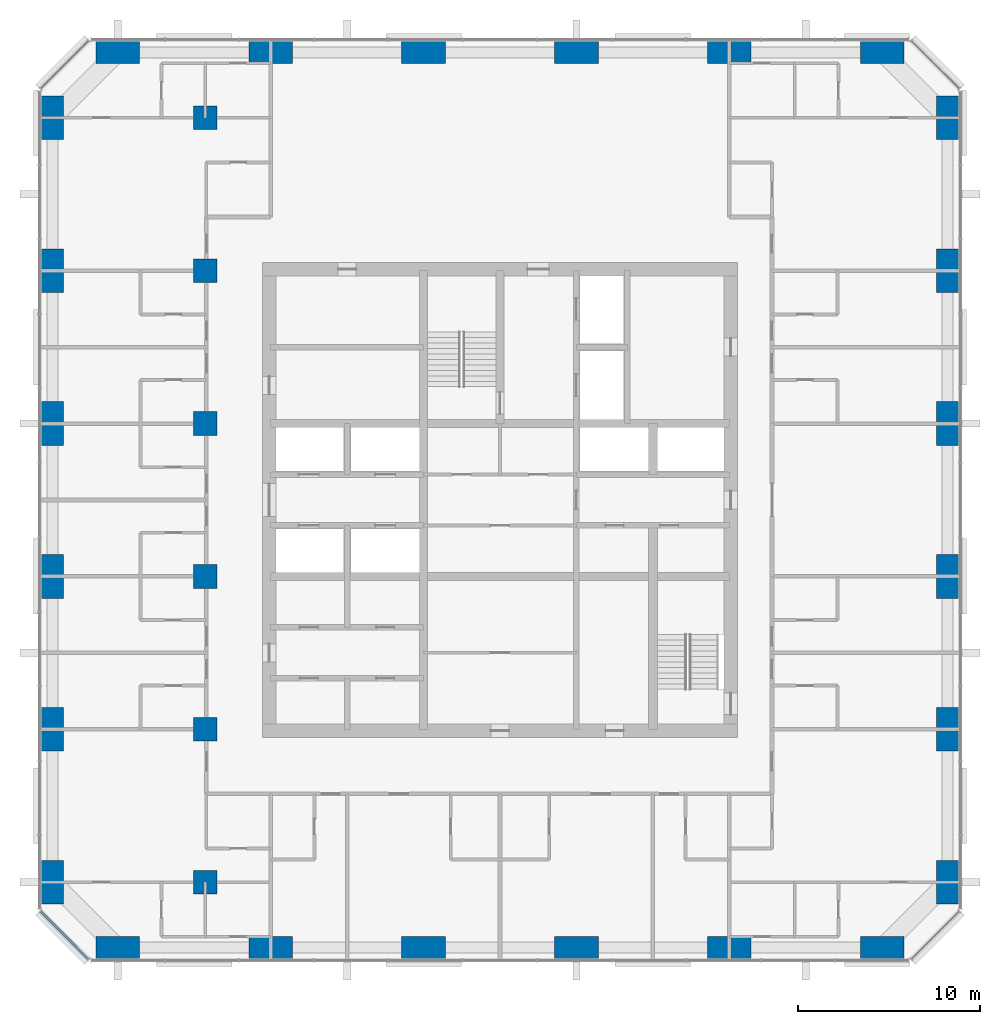
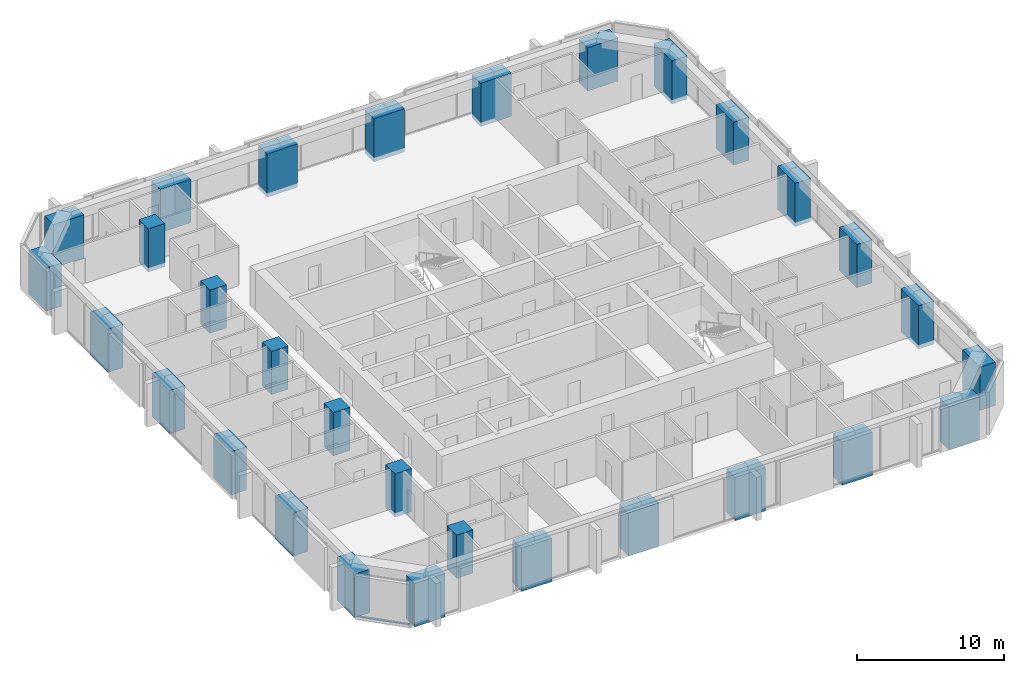
# One storey, part 1 of 13: 30 columns, 1 member, 1 element without a shape of its own.
"""IFC4 building model written with IfcOpenShell, lengths in metres."""

from ifc_helpers import new_model, si_unit, direction, frame, origin, origin_2d, place, context, subcontext, project, spatial, rectangle, extrude, material, material_profile, profile_set, type_object, element, aggregate, save


model = new_model("IFC4")

# Units and contexts
model_context = context("Model", 3, precision=1e-05, world=origin(), true_north=direction((0.0, 1.0)))
body_context = subcontext(model_context, "Body", "Model", "MODEL_VIEW")
ifc_project = project(units=[si_unit("LENGTHUNIT", "METRE"), si_unit("AREAUNIT", "SQUARE_METRE"), si_unit("VOLUMEUNIT", "CUBIC_METRE"), si_unit("PLANEANGLEUNIT", "RADIAN"), si_unit("MASSUNIT", "GRAM", prefix="KILO")], contexts=[model_context])

# Site, building, storey
site_placement = place(None, origin())
site = spatial("IfcSite", under=ifc_project, at=site_placement, CompositionType="ELEMENT")
building_placement = place(site_placement, origin())
building = spatial("IfcBuilding", under=site, at=building_placement, Name="Dunama Terrace Hotel", CompositionType="ELEMENT")
storey_placement = place(building_placement, frame((0.0, 0.0, 166.199951171875)))
storey = spatial("IfcBuildingStorey", under=building, at=storey_placement, Name="L42", CompositionType="ELEMENT", Elevation=166.199951171875)

# Columns
ifc_material_1 = material(Name="Concrete C60/75", Category="concrete")
ifc_material_profile_1 = material_profile(ifc_material_1, rectangle(XDim=1.199951171875, YDim=2.39990234375, at=origin_2d()), Name="RC 1200x2400")
ifc_profile_set_1 = profile_set([ifc_material_profile_1], Name="Concrete C60/75")
column_type_1 = type_object("IfcColumnType", Name="Column RC 1200x2400", PredefinedType="COLUMN", material=ifc_profile_set_1)
for number, where, z_axis, x_axis, name in (
    (1, (4.800048828125, 8.39990234375, -0.349853515625), (0.0, 0.0, 1.0), (1.0, 0.0, 0.0), "Column L42 +4.8/+8.4"),
    (2, (4.800048828125, 16.800048828125, -0.349853515625), (0.0, 0.0, 1.0), (1.0, 0.0, 0.0), "Column L42 +4.8/+16.8"),
    (3, (4.800048828125, 25.199951171875, -0.349853515625), (0.0, 0.0, 1.0), (1.0, 0.0, 0.0), "Column L42 +4.8/+25.2"),
    (4, (4.800048828125, 33.60009765625, -0.349853515625), (0.0, 0.0, 1.0), (1.0, 0.0, 0.0), "Column L42 +4.8/+33.6"),
    (5, (4.800048828125, 42.0, -0.349853515625), (0.0, 0.0, 1.0), (1.0, 0.0, 0.0), "Column L42 +4.8/+42.0"),
    (6, (4.800048828125, 50.39990234375, -0.349853515625), (0.0, 0.0, 1.0), (1.0, 0.0, 0.0), "Column L42 +4.8/+50.4"),
    (7, (54.0, 8.39990234375, -0.349853515625), (0.0, 0.0, 1.0), (1.0, 0.0, 0.0), "Column L42 +54.0/+8.4"),
    (8, (54.0, 16.800048828125, -0.349853515625), (0.0, 0.0, 1.0), (1.0, 0.0, 0.0), "Column L42 +54.0/+16.8"),
    (9, (54.0, 25.199951171875, -0.349853515625), (0.0, 0.0, 1.0), (1.0, 0.0, 0.0), "Column L42 +54.0/+25.2"),
    (10, (54.0, 33.60009765625, -0.349853515625), (0.0, 0.0, 1.0), (1.0, 0.0, 0.0), "Column L42 +54.0/+33.6"),
    (11, (54.0, 42.0, -0.349853515625), (0.0, 0.0, 1.0), (1.0, 0.0, 0.0), "Column L42 +54.0/+42.0"),
    (12, (54.0, 50.39990234375, -0.349853515625), (0.0, 0.0, 1.0), (1.0, 0.0, 0.0), "Column L42 +54.0/+50.4"),
):
    element("IfcColumn", number, at=place(storey_placement, frame(where, z_axis=z_axis, x_axis=x_axis)), inside=storey, type_object=column_type_1, Name=name, PredefinedType="COLUMN", context=body_context, shape_type="SweptSolid", body=[
        extrude(rectangle(XDim=1.199951171875, YDim=2.39990234375, at=origin_2d()), origin(), (0.0, 0.0, 1.0), 3.599853515625),
    ])
ifc_material_2 = material(Name="Concrete C60/75", Category="concrete")
ifc_material_profile_2 = material_profile(ifc_material_2, rectangle(XDim=1.300048828125, YDim=1.300048828125, at=origin_2d()), Name="RC 1300x1300")
ifc_profile_set_2 = profile_set([ifc_material_profile_2], Name="Concrete C60/75")
column_type_2 = type_object("IfcColumnType", Name="Column RC 1300x1300", PredefinedType="COLUMN", material=ifc_profile_set_2)
for number, where, z_axis, x_axis, name in (
    (13, (13.199951171875, 8.39990234375, -0.349853515625), (0.0, 0.0, 1.0), (1.0, 0.0, 0.0), "Column L42 +13.2/+8.4"),
    (14, (13.199951171875, 16.800048828125, -0.349853515625), (0.0, 0.0, 1.0), (1.0, 0.0, 0.0), "Column L42 +13.2/+16.8"),
    (15, (13.199951171875, 25.199951171875, -0.349853515625), (0.0, 0.0, 1.0), (1.0, 0.0, 0.0), "Column L42 +13.2/+25.2"),
    (16, (13.199951171875, 33.60009765625, -0.349853515625), (0.0, 0.0, 1.0), (1.0, 0.0, 0.0), "Column L42 +13.2/+33.6"),
    (17, (13.199951171875, 42.0, -0.349853515625), (0.0, 0.0, 1.0), (1.0, 0.0, 0.0), "Column L42 +13.2/+42.0"),
    (18, (13.199951171875, 50.39990234375, -0.349853515625), (0.0, 0.0, 1.0), (1.0, 0.0, 0.0), "Column L42 +13.2/+50.4"),
):
    element("IfcColumn", number, at=place(storey_placement, frame(where, z_axis=z_axis, x_axis=x_axis)), inside=storey, type_object=column_type_2, Name=name, PredefinedType="COLUMN", context=body_context, shape_type="SweptSolid", body=[
        extrude(rectangle(XDim=1.300048828125, YDim=1.300048828125, at=origin_2d()), origin(), (0.0, 0.0, 1.0), 3.599853515625),
    ])
ifc_material_3 = material(Name="Concrete C60/75", Category="concrete")
ifc_material_profile_3 = material_profile(ifc_material_3, rectangle(XDim=2.39990234375, YDim=1.199951171875, at=origin_2d()), Name="RC 2400x1200")
ifc_profile_set_3 = profile_set([ifc_material_profile_3], Name="Concrete C60/75")
column_type_3 = type_object("IfcColumnType", Name="Column RC 2400x1200", PredefinedType="COLUMN", material=ifc_profile_set_3)
for number, where, z_axis, x_axis, name in (
    (19, (8.39990234375, 4.800048828125, -0.349853515625), (0.0, 0.0, 1.0), (1.0, 0.0, 0.0), "Column L42 +8.4/+4.8"),
    (20, (8.39990234375, 54.0, -0.349853515625), (0.0, 0.0, 1.0), (1.0, 0.0, 0.0), "Column L42 +8.4/+54.0"),
    (21, (16.800048828125, 4.800048828125, -0.349853515625), (0.0, 0.0, 1.0), (1.0, 0.0, 0.0), "Column L42 +16.8/+4.8"),
    (22, (16.800048828125, 54.0, -0.349853515625), (0.0, 0.0, 1.0), (1.0, 0.0, 0.0), "Column L42 +16.8/+54.0"),
    (23, (25.199951171875, 4.800048828125, -0.349853515625), (0.0, 0.0, 1.0), (1.0, 0.0, 0.0), "Column L42 +25.2/+4.8"),
    (24, (25.199951171875, 54.0, -0.349853515625), (0.0, 0.0, 1.0), (1.0, 0.0, 0.0), "Column L42 +25.2/+54.0"),
    (25, (33.60009765625, 4.800048828125, -0.349853515625), (0.0, 0.0, 1.0), (1.0, 0.0, 0.0), "Column L42 +33.6/+4.8"),
    (26, (33.60009765625, 54.0, -0.349853515625), (0.0, 0.0, 1.0), (1.0, 0.0, 0.0), "Column L42 +33.6/+54.0"),
    (27, (42.0, 4.800048828125, -0.349853515625), (0.0, 0.0, 1.0), (1.0, 0.0, 0.0), "Column L42 +42.0/+4.8"),
    (28, (42.0, 54.0, -0.349853515625), (0.0, 0.0, 1.0), (1.0, 0.0, 0.0), "Column L42 +42.0/+54.0"),
    (29, (50.39990234375, 4.800048828125, -0.349853515625), (0.0, 0.0, 1.0), (1.0, 0.0, 0.0), "Column L42 +50.4/+4.8"),
    (30, (50.39990234375, 54.0, -0.349853515625), (0.0, 0.0, 1.0), (1.0, 0.0, 0.0), "Column L42 +50.4/+54.0"),
):
    element("IfcColumn", number, at=place(storey_placement, frame(where, z_axis=z_axis, x_axis=x_axis)), inside=storey, type_object=column_type_3, Name=name, PredefinedType="COLUMN", context=body_context, shape_type="SweptSolid", body=[
        extrude(rectangle(XDim=2.39990234375, YDim=1.199951171875, at=origin_2d()), origin(), (0.0, 0.0, 1.0), 3.599853515625),
    ])

# Curtain wall, member
ifc_material_4 = material(Name="Aluminium curtain wall system", Category="aluminium")
curtain_wall_type = type_object("IfcCurtainWallType", Name="Unitised fritted glass wall CW-C", PredefinedType="NOTDEFINED", material=ifc_material_4)
curtain_wall_placement = place(storey_placement, origin())
curtain_wall = element("IfcCurtainWall", 31, at=curtain_wall_placement, inside=storey, type_object=curtain_wall_type, Name="Unitised fritted glass wall CW-C L42", PredefinedType="NOTDEFINED")
ifc_material_5 = material(Name="Aluminium transom", Category="aluminium")
ifc_material_profile_4 = material_profile(ifc_material_5, rectangle(XDim=0.159912109375, YDim=0.080078125, at=origin_2d()), Name="CWC TRANSOM 160X80")
ifc_profile_set_4 = profile_set([ifc_material_profile_4], Name="Aluminium transom")
member_type = type_object("IfcMemberType", Name="CWC transom 160x80", PredefinedType="USERDEFINED", material=ifc_profile_set_4)
member_placement = place(storey_placement, frame((4.178955078125, 6.780029296875, 0.0400390625), z_axis=(0.707106781187, -0.707106781187, 0.0), x_axis=(0.707106781187, 0.707106781187, 0.0)))
member = element("IfcMember", 32, at=member_placement, type_object=member_type, Name="CWC transom", ObjectType="TRANSOM", PredefinedType="USERDEFINED", context=body_context, shape_type="SweptSolid", body=[
    extrude(rectangle(XDim=0.159912109375, YDim=0.080078125, at=origin_2d()), origin(), (0.0, 0.0, 1.0), 3.678466796875),
])
aggregate(curtain_wall, [member])

save(model, "model.ifc")
